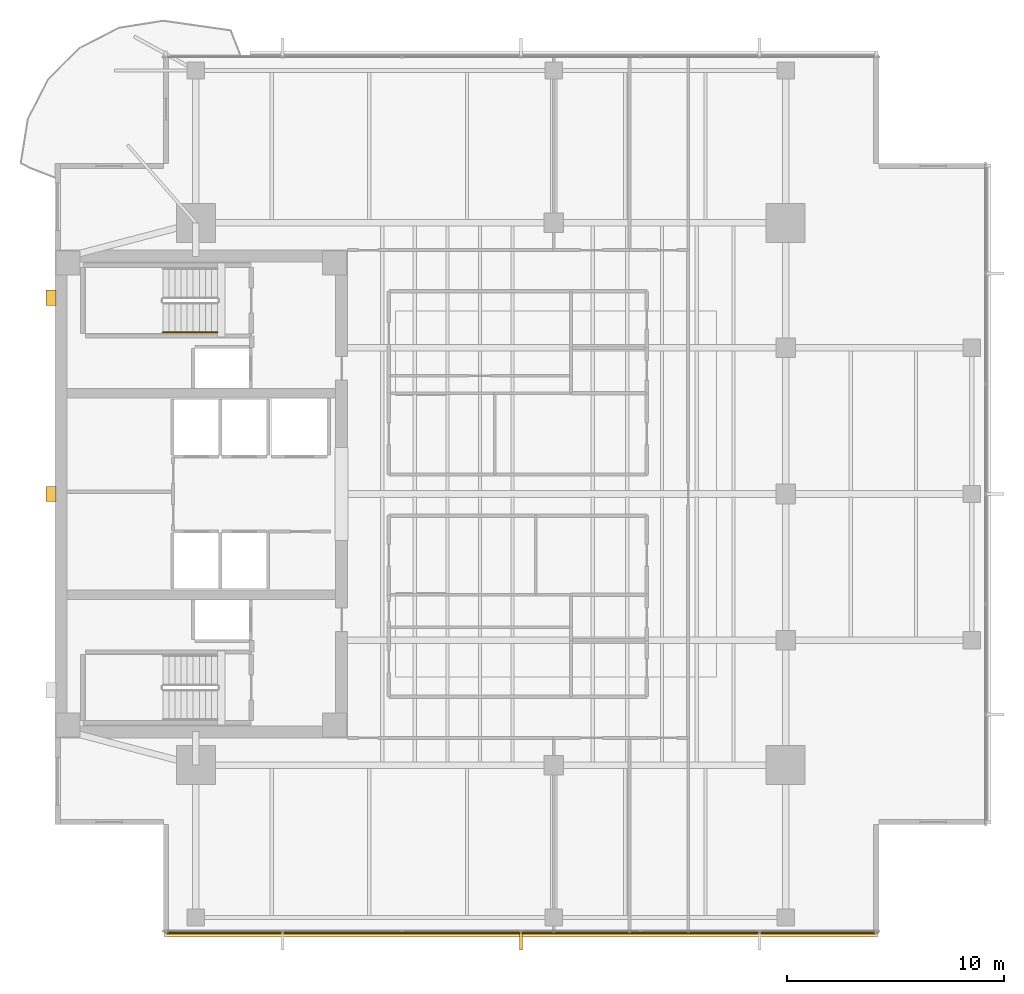
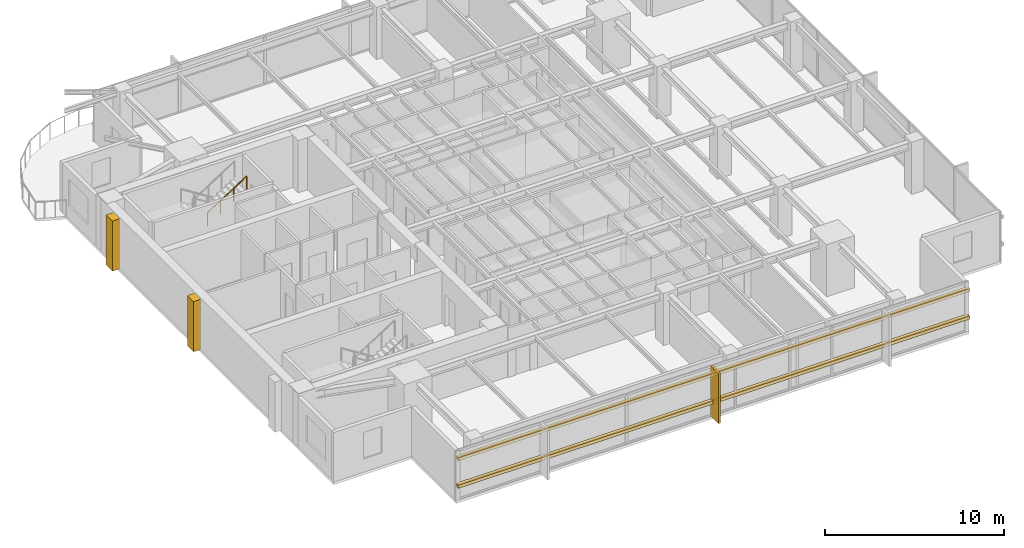
# One storey, part 12 of 15: 5 coverings, 2 shading devices, 1 railing.
"""IFC4 building model written with IfcOpenShell, lengths in metres."""

from ifc_helpers import new_model, si_unit, direction, frame, origin, origin_2d, place, context, subcontext, project, spatial, polyline, rectangle, circle, outline, extrude, material, layer, layer_set, material_profile, profile_set, type_object, element, save


model = new_model("IFC4")

# Units and contexts
model_context = context("Model", 3, precision=1e-05, world=origin(), true_north=direction((0.0, 1.0)))
body_context = subcontext(model_context, "Body", "Model", "MODEL_VIEW")
ifc_project = project(units=[si_unit("LENGTHUNIT", "METRE"), si_unit("AREAUNIT", "SQUARE_METRE"), si_unit("VOLUMEUNIT", "CUBIC_METRE"), si_unit("PLANEANGLEUNIT", "RADIAN"), si_unit("MASSUNIT", "GRAM", prefix="KILO")], contexts=[model_context])

# Site, building, storey
site_placement = place(None, origin())
site = spatial("IfcSite", under=ifc_project, at=site_placement, CompositionType="ELEMENT")
building_placement = place(site_placement, origin())
building = spatial("IfcBuilding", under=site, at=building_placement, Name="Kinhvarn Gate Tower", CompositionType="ELEMENT")
storey_placement = place(building_placement, frame((0.0, 0.0, 220.0)))
storey = spatial("IfcBuildingStorey", under=building, at=storey_placement, Name="L58", CompositionType="ELEMENT", Elevation=220.0)

# Coverings
ifc_material_1 = material(Name="Fired architectural terracotta", Category="masonry")
ifc_layer_1 = layer(ifc_material_1, 0.239990234375)
ifc_layer_set_1 = layer_set([ifc_layer_1], Name="Fired architectural terracotta")
covering_type_1 = type_object("IfcCoveringType", Name="COV-BAG-220", PredefinedType="CLADDING", material=ifc_layer_set_1)
for number, where, name in (
    (1, (0.0, 0.0, 0.93994140625), "Terracotta Horizontal Sunscreen Band TBG-220 (L58)"),
    (2, (0.0, 0.0, 2.81005859375), "Terracotta Horizontal Sunscreen Band TBG-220 (L58)"),
):
    element("IfcCovering", number, at=place(storey_placement, frame(where)), inside=storey, type_object=covering_type_1, Name=name, PredefinedType="CLADDING", context=body_context, shape_type="SweptSolid", body=[
        extrude(outline(polyline([(9.5400390625, 5.070068359375), (42.4599609375, 5.070068359375), (42.4599609375, 4.830078125), (9.5400390625, 4.830078125), (9.5400390625, 5.070068359375)])), origin(), (0.0, 0.0, 1.0), 0.219970703125),
    ])
ifc_layer_2 = layer(ifc_material_1, 0.139892578125)
ifc_layer_set_2 = layer_set([ifc_layer_2], Name="Fired architectural terracotta")
covering_type_2 = type_object("IfcCoveringType", Name="COV-FIN-850", PredefinedType="CLADDING", material=ifc_layer_set_2)
covering_1_placement = place(storey_placement, frame((0.0, 0.0, -0.02001953125)))
element("IfcCovering", 3, at=covering_1_placement, inside=storey, type_object=covering_type_2, Name="Vertical Terracotta Expressive Fin TFN-850 (L58)", PredefinedType="CLADDING", context=body_context, shape_type="SweptSolid", body=[
    extrude(outline(polyline([(25.929931640625, 5.080078125), (26.070068359375, 5.080078125), (26.070068359375, 4.22998046875), (25.929931640625, 4.22998046875), (25.929931640625, 5.080078125)])), origin(), (0.0, 0.0, 1.0), 3.409912109375),
])
ifc_material_2 = material(Name="Precast white architectural concrete C40/50", Category="concrete")
ifc_layer_3 = layer(ifc_material_2, 0.47998046875)
ifc_layer_set_3 = layer_set([ifc_layer_3], Name="Precast white architectural concrete C40/50")
covering_type_3 = type_object("IfcCoveringType", Name="COV-RIB-450", PredefinedType="CLADDING", material=ifc_layer_set_3)
covering_2_placement = place(storey_placement, frame((0.0, 0.0, -0.02001953125)))
element("IfcCovering", 4, at=covering_2_placement, inside=storey, type_object=covering_type_3, Name="West Core Sculptural Concrete Relief Rib CRB-450 (L58)", PredefinedType="CLADDING", context=body_context, shape_type="SweptSolid", body=[
    extrude(outline(polyline([(4.080078125, 24.89990234375), (4.56005859375, 24.89990234375), (4.56005859375, 25.60009765625), (4.080078125, 25.60009765625), (4.080078125, 24.89990234375)])), origin(), (0.0, 0.0, 1.0), 3.409912109375),
])
covering_3_placement = place(storey_placement, frame((0.0, 0.0, -0.02001953125)))
element("IfcCovering", 5, at=covering_3_placement, inside=storey, type_object=covering_type_3, Name="West Core Sculptural Concrete Relief Rib CRB-450 (L58)", PredefinedType="CLADDING", context=body_context, shape_type="SweptSolid", body=[
    extrude(outline(polyline([(4.080078125, 33.949951171875), (4.56005859375, 33.949951171875), (4.56005859375, 34.64990234375), (4.080078125, 34.64990234375), (4.080078125, 33.949951171875)])), origin(), (0.0, 0.0, 1.0), 3.409912109375),
])

# Railing
ifc_material_3 = material(Name="Steel S355", Category="steel")
railing_type = type_object("IfcRailingType", Name="RL-ST-HND", PredefinedType="HANDRAIL", material=ifc_material_3)
railing_placement = place(storey_placement, frame((9.47998046875, 32.699951171875, 1.952392578125)))
element("IfcRailing", 6, at=railing_placement, inside=storey, type_object=railing_type, Name="L58 ST2 stair handrail 2", PredefinedType="HANDRAIL", context=body_context, shape_type="SweptSolid", body=[
    extrude(circle(Radius=0.02392578125, at=origin_2d()), frame((0.0, 0.0, 0.8759765625), z_axis=(0.84456994832, 0.0, 0.535445237532), x_axis=(0.0, 1.0, 0.0)), (0.0, 0.0, 1.0), 2.98388671875),
    extrude(circle(Radius=0.02099609375, at=origin_2d()), origin(), (0.0, 0.0, 1.0), 0.851806640625),
    extrude(circle(Radius=0.02099609375, at=origin_2d()), frame((0.840087890625, 0.0, 0.532470703125)), (0.0, 0.0, 1.0), 0.851806640625),
    extrude(circle(Radius=0.02099609375, at=origin_2d()), frame((1.679931640625, 0.0, 1.065185546875)), (0.0, 0.0, 1.0), 0.851806640625),
    extrude(circle(Radius=0.02099609375, at=origin_2d()), frame((2.52001953125, 0.0, 1.59765625)), (0.0, 0.0, 1.0), 0.851806640625),
])

# Shading devices
ifc_material_profile = material_profile(ifc_material_1, rectangle(XDim=0.050048828125, YDim=0.1201171875, at=origin_2d()), Name="TC 50x120")
ifc_profile_set = profile_set([ifc_material_profile], Name="Fired architectural terracotta")
shading_device_type = type_object("IfcShadingDeviceType", Name="SHD-BAG-140", PredefinedType="USERDEFINED", material=ifc_profile_set)
for number, where, z_axis, x_axis, name in (
    (7, (9.5400390625, 5.0, 1.050048828125), (1.0, 0.0, 0.0), (0.0, 1.0, 0.0), "Upper Tower Terracotta Baguette Screen Rod 50x120 mm (L58)"),
    (8, (9.5400390625, 5.0, 2.919921875), (1.0, 0.0, 0.0), (0.0, 1.0, 0.0), "Upper Tower Terracotta Baguette Screen Rod 50x120 mm (L58)"),
):
    element("IfcShadingDevice", number, at=place(storey_placement, frame(where, z_axis=z_axis, x_axis=x_axis)), inside=storey, type_object=shading_device_type, Name=name, ObjectType="BAGUETTE", PredefinedType="USERDEFINED", context=body_context, shape_type="SweptSolid", body=[
        extrude(rectangle(XDim=0.050048828125, YDim=0.1201171875, at=origin_2d()), origin(), (0.0, 0.0, 1.0), 32.919921875),
    ])

save(model, "model.ifc")
